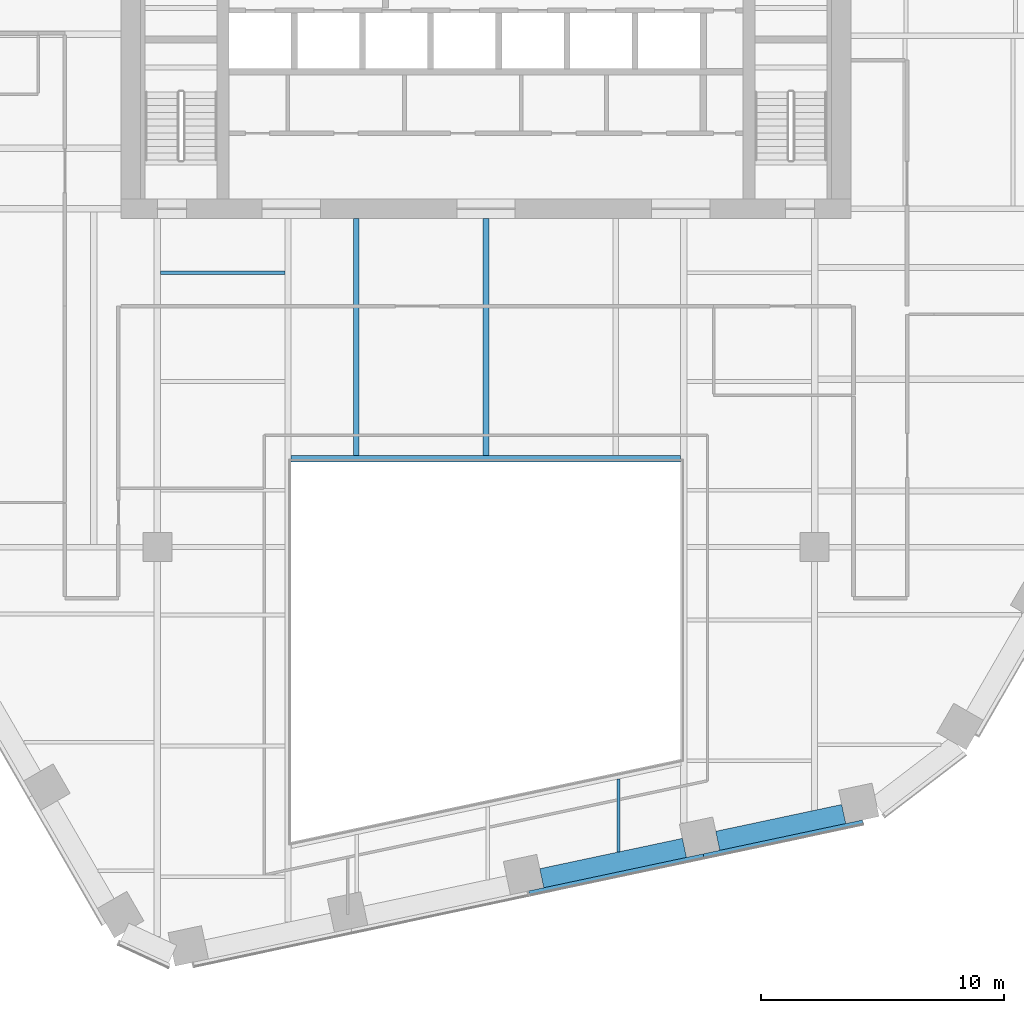
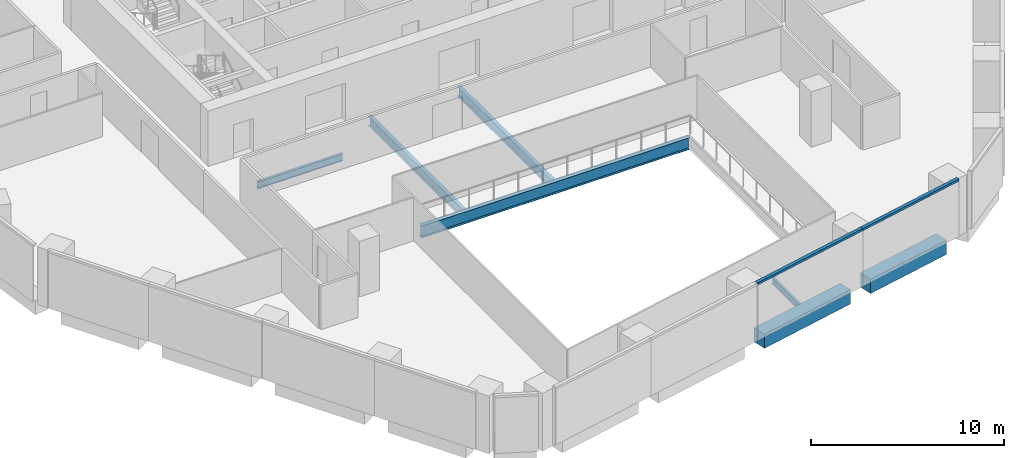
# One storey, part 4 of 16: 7 beams, 2 members, 1 element without a shape of its own.
"""IFC4 building model written with IfcOpenShell, lengths in metres."""

from ifc_helpers import new_model, si_unit, direction, frame, origin, origin_2d, place, context, subcontext, project, spatial, rectangle, i_section, extrude, material, layer, layer_set, material_profile, profile_set, type_object, element, aggregate, save


model = new_model("IFC4")

# Units and contexts
model_context = context("Model", 3, precision=1e-05, world=origin(), true_north=direction((0.0, 1.0)))
body_context = subcontext(model_context, "Body", "Model", "MODEL_VIEW")
ifc_project = project(units=[si_unit("LENGTHUNIT", "METRE"), si_unit("AREAUNIT", "SQUARE_METRE"), si_unit("VOLUMEUNIT", "CUBIC_METRE"), si_unit("PLANEANGLEUNIT", "RADIAN"), si_unit("MASSUNIT", "GRAM", prefix="KILO")], contexts=[model_context])

# Site, building, storey
site_placement = place(None, origin())
site = spatial("IfcSite", under=ifc_project, at=site_placement, CompositionType="ELEMENT")
building_placement = place(site_placement, origin())
building = spatial("IfcBuilding", under=site, at=building_placement, Name="Isthmus Gate Tower", CompositionType="ELEMENT")
storey_placement = place(building_placement, frame((0.0, 0.0, 151.699951171875)))
storey = spatial("IfcBuildingStorey", under=building, at=storey_placement, Name="L37", CompositionType="ELEMENT", Elevation=151.699951171875)

# Curtain wall, members
ifc_material_1 = material(Name="Aluminium, pale champagne anodised", Category="aluminium")
ifc_layer = layer(ifc_material_1, 0.199951171875)
ifc_layer_set = layer_set([ifc_layer], Name="CW-1 UNITISED CURTAIN WALL 200 DEEP")
curtain_wall_type = type_object("IfcCurtainWallType", Name="CW-1 UNITISED CURTAIN WALL 200 DEEP", PredefinedType="NOTDEFINED", material=ifc_layer_set)
curtain_wall_placement = place(storey_placement, origin())
curtain_wall = element("IfcCurtainWall", 1, at=curtain_wall_placement, inside=storey, type_object=curtain_wall_type, Name="CW-1 S L37", PredefinedType="NOTDEFINED")
ifc_material_2 = material(Name="Aluminium, pale champagne anodised", Category="aluminium")
ifc_material_profile_1 = material_profile(ifc_material_2, rectangle(XDim=0.199951171875, YDim=0.139892578125, at=origin_2d()), Name="200x140")
ifc_profile_set_1 = profile_set([ifc_material_profile_1], Name="Aluminium, pale champagne anodised")
member_type = type_object("IfcMemberType", Name="CW-1 TRANSOM 200 X 140", PredefinedType="USERDEFINED", material=ifc_profile_set_1)
member_1_placement = place(storey_placement, frame((1.76953125, -27.72607421875, 3.580078125), z_axis=(0.978146152746, 0.207918502948, 0.0), x_axis=(-0.207918502948, 0.978146152746, 0.0)))
member_1 = element("IfcMember", 2, at=member_1_placement, type_object=member_type, Name="CW-1 transom", ObjectType="TRANSOM", PredefinedType="USERDEFINED", context=body_context, shape_type="SweptSolid", body=[
    extrude(rectangle(XDim=0.199951171875, YDim=0.139892578125, at=origin_2d()), origin(), (0.0, 0.0, 1.0), 7.33056640625),
])
member_2_placement = place(storey_placement, frame((8.93994140625, -26.201904296875, 3.580078125), z_axis=(0.978147628551, 0.207911559946, 0.0), x_axis=(-0.207911559946, 0.978147628551, 0.0)))
member_2 = element("IfcMember", 3, at=member_2_placement, type_object=member_type, Name="CW-1 transom", ObjectType="TRANSOM", PredefinedType="USERDEFINED", context=body_context, shape_type="SweptSolid", body=[
    extrude(rectangle(XDim=0.199951171875, YDim=0.139892578125, at=origin_2d()), origin(), (0.0, 0.0, 1.0), 6.69091796875),
])
aggregate(curtain_wall, [member_1, member_2])

# Beams
ifc_material_3 = material(Name="Concrete f'c 60 MPa", Category="concrete")
ifc_material_profile_2 = material_profile(ifc_material_3, rectangle(XDim=0.800048828125, YDim=0.89990234375, at=origin_2d()), Name="RC 800X900")
ifc_profile_set_2 = profile_set([ifc_material_profile_2], Name="Concrete f'c 60 MPa")
beam_type_1 = type_object("IfcBeamType", Name="RC SPANDREL 800 X 900", PredefinedType="SPANDREL", material=ifc_profile_set_2)
beam_1_placement = place(storey_placement, frame((14.696044921875, -24.46728515625, -0.449951171875), z_axis=(-0.978145479826, -0.207921668653, 0.0), x_axis=(0.207921668653, -0.978145479826, 0.0)))
element("IfcBeam", 4, at=beam_1_placement, inside=storey, type_object=beam_type_1, Name="str-spandrel-L37-11", PredefinedType="SPANDREL", context=body_context, shape_type="SweptSolid", body=[
    extrude(rectangle(XDim=0.800048828125, YDim=0.89990234375, at=origin_2d()), origin(), (0.0, 0.0, 1.0), 5.291015625),
])
beam_2_placement = place(storey_placement, frame((8.1513671875, -25.8583984375, -0.449951171875), z_axis=(-0.978145798872, -0.20792016773, 0.0), x_axis=(0.20792016773, -0.978145798872, 0.0)))
element("IfcBeam", 5, at=beam_2_placement, inside=storey, type_object=beam_type_1, Name="str-spandrel-L37-12", PredefinedType="SPANDREL", context=body_context, shape_type="SweptSolid", body=[
    extrude(rectangle(XDim=0.800048828125, YDim=0.89990234375, at=origin_2d()), origin(), (0.0, 0.0, 1.0), 5.99072265625),
])
ifc_material_4 = material(Name="Structural steel ASTM A992 Gr 50", Category="steel")
ifc_material_profile_3 = material_profile(ifc_material_4, i_section(OverallWidth=0.1396484375, OverallDepth=0.4033203125, WebThickness=0.00634765625, FlangeThickness=0.010986328125, at=origin_2d()), Name="W16X31")
ifc_profile_set_3 = profile_set([ifc_material_profile_3], Name="Structural steel ASTM A992 Gr 50")
beam_type_2 = type_object("IfcBeamType", Name="STEEL FLOOR BEAM W16X31", PredefinedType="JOIST", material=ifc_profile_set_3)
beam_3_placement = place(storey_placement, frame((5.443115234375, -26.025146484375, -0.3515625), z_axis=(0.0, 1.0, 0.0), x_axis=(-1.0, 0.0, 0.0)))
element("IfcBeam", 6, at=beam_3_placement, inside=storey, type_object=beam_type_2, Name="str-beam-L37-07-02", PredefinedType="JOIST", context=body_context, shape_type="SweptSolid", body=[
    extrude(i_section(OverallWidth=0.1396484375, OverallDepth=0.4033203125, WebThickness=0.00634765625, FlangeThickness=0.010986328125, at=origin_2d()), origin(), (0.0, 0.0, 1.0), 2.998779296875),
])
ifc_material_5 = material(Name="Structural steel ASTM A992 Gr 50", Category="steel")
ifc_material_profile_4 = material_profile(ifc_material_5, i_section(OverallWidth=0.15234375, OverallDepth=0.45068359375, WebThickness=0.0078125, FlangeThickness=0.010986328125, at=origin_2d()), Name="W18X35")
ifc_profile_set_4 = profile_set([ifc_material_profile_4], Name="Structural steel ASTM A992 Gr 50")
beam_type_3 = type_object("IfcBeamType", Name="STEEL FLOOR BEAM W18X35", PredefinedType="JOIST", material=ifc_profile_set_4)
beam_4_placement = place(storey_placement, frame((-13.3681640625, -2.232421875, -0.375244140625), z_axis=(1.0, 0.0, 0.0), x_axis=(0.0, 1.0, 0.0)))
element("IfcBeam", 7, at=beam_4_placement, inside=storey, type_object=beam_type_3, Name="str-beam-L37-04-02", PredefinedType="JOIST", context=body_context, shape_type="SweptSolid", body=[
    extrude(i_section(OverallWidth=0.15234375, OverallDepth=0.45068359375, WebThickness=0.0078125, FlangeThickness=0.010986328125, at=origin_2d()), origin(), (0.0, 0.0, 1.0), 5.1015625),
])
ifc_material_6 = material(Name="Structural steel ASTM A992 Gr 50", Category="steel")
ifc_material_profile_5 = material_profile(ifc_material_6, i_section(OverallWidth=0.228515625, OverallDepth=0.603271484375, WebThickness=0.010986328125, FlangeThickness=0.014404296875, at=origin_2d()), Name="W24X68")
ifc_profile_set_5 = profile_set([ifc_material_profile_5], Name="Structural steel ASTM A992 Gr 50")
beam_type_4 = type_object("IfcBeamType", Name="STEEL FLOOR BEAM W24X68", PredefinedType="JOIST", material=ifc_profile_set_5)
for number, where, z_axis, x_axis, name in (
    (8, (-5.333251953125, -9.7333984375, -0.45166015625), (0.0, 1.0, 0.0), (-1.0, 0.0, 0.0), "str-beam-L37-06-00"),
    (9, (0.0, -9.7333984375, -0.45166015625), (0.0, 1.0, 0.0), (-1.0, 0.0, 0.0), "str-beam-L37-06-01"),
):
    element("IfcBeam", number, at=place(storey_placement, frame(where, z_axis=z_axis, x_axis=x_axis)), inside=storey, type_object=beam_type_4, Name=name, PredefinedType="JOIST", context=body_context, shape_type="SweptSolid", body=[
        extrude(i_section(OverallWidth=0.228515625, OverallDepth=0.603271484375, WebThickness=0.010986328125, FlangeThickness=0.014404296875, at=origin_2d()), origin(), (0.0, 0.0, 1.0), 9.7333984375),
    ])
ifc_material_7 = material(Name="Structural steel ASTM A992 Gr 50", Category="steel")
ifc_material_profile_6 = material_profile(ifc_material_7, i_section(OverallWidth=0.2666015625, OverallDepth=0.7587890625, WebThickness=0.014404296875, FlangeThickness=0.01904296875, at=origin_2d()), Name="W30X108")
ifc_profile_set_6 = profile_set([ifc_material_profile_6], Name="Structural steel ASTM A992 Gr 50")
beam_type_5 = type_object("IfcBeamType", Name="STEEL TRIMMER W30X108", PredefinedType="BEAM", material=ifc_profile_set_6)
beam_5_placement = place(storey_placement, frame((8.0, -9.86669921875, -0.529296875), z_axis=(-1.0, 0.0, 0.0), x_axis=(0.0, -1.0, 0.0)))
element("IfcBeam", 10, at=beam_5_placement, inside=storey, type_object=beam_type_5, Name="str-trimmer-L37-04", PredefinedType="BEAM", context=body_context, shape_type="SweptSolid", body=[
    extrude(i_section(OverallWidth=0.2666015625, OverallDepth=0.7587890625, WebThickness=0.014404296875, FlangeThickness=0.01904296875, at=origin_2d()), origin(), (0.0, 0.0, 1.0), 16.0),
])

save(model, "model.ifc")
